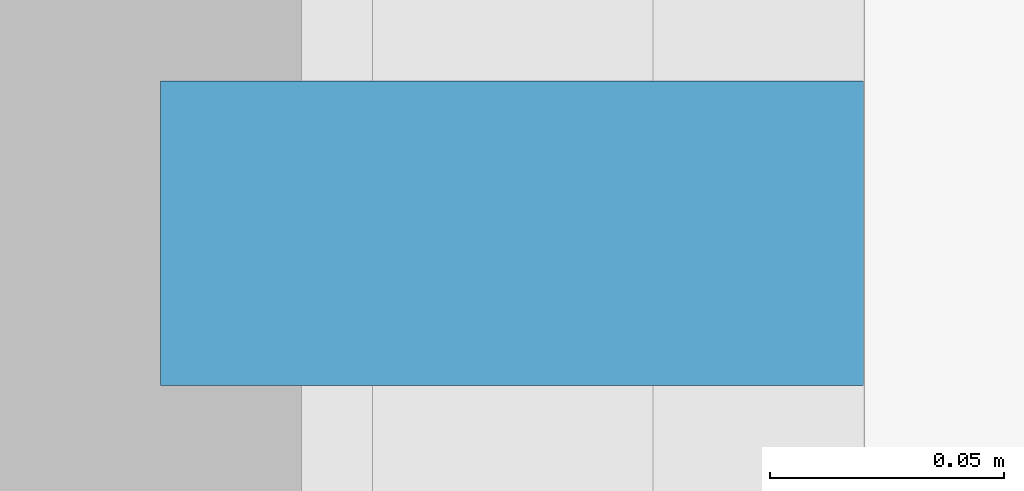
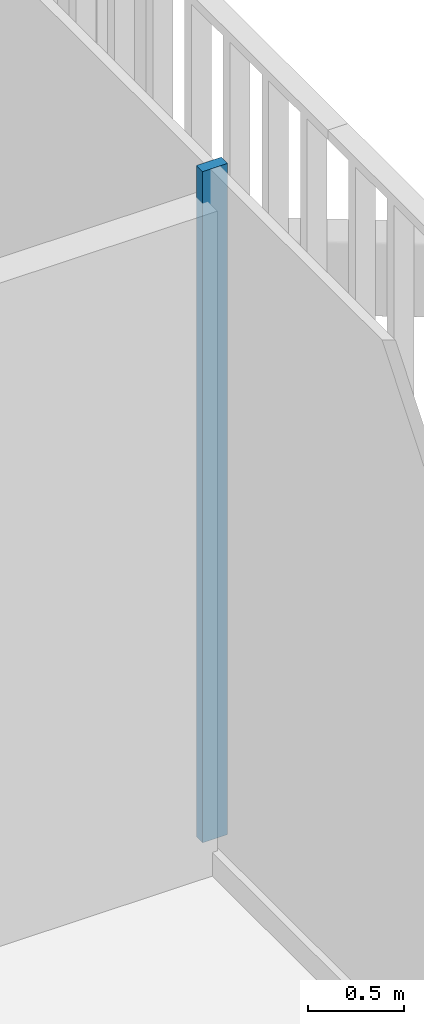
# One storey, part 10 of 21: 1 member, 1 element without a shape of its own.
"""IFC4 building model written with IfcOpenShell, lengths in metres."""

from ifc_helpers import new_model, si_unit, direction, frame, origin, origin_2d, place, context, subcontext, project, spatial, rectangle, extrude, material, layer, layer_set, material_profile, profile_set, type_object, element, aggregate, save


model = new_model("IFC4")

# Units and contexts
model_context = context("Model", 3, precision=1e-05, world=origin(), true_north=direction((0.0, 1.0)))
body_context = subcontext(model_context, "Body", "Model", "MODEL_VIEW")
ifc_project = project(units=[si_unit("LENGTHUNIT", "METRE"), si_unit("AREAUNIT", "SQUARE_METRE"), si_unit("VOLUMEUNIT", "CUBIC_METRE"), si_unit("PLANEANGLEUNIT", "RADIAN"), si_unit("MASSUNIT", "GRAM", prefix="KILO")], contexts=[model_context])

# Site, building, storey
site_placement = place(None, origin())
site = spatial("IfcSite", under=ifc_project, at=site_placement, CompositionType="ELEMENT")
building_placement = place(site_placement, origin())
building = spatial("IfcBuilding", under=site, at=building_placement, Name="Millrace Tower", CompositionType="ELEMENT")
storey_placement = place(building_placement, frame((0.0, 0.0, 82.0)))
storey = spatial("IfcBuildingStorey", under=building, at=storey_placement, Name="L18", CompositionType="ELEMENT", Elevation=82.0)

# Curtain wall, member
ifc_material_1 = material(Name="Aluminium and glass", Category="aluminium")
ifc_layer = layer(ifc_material_1, 0.14990234375)
ifc_layer_set = layer_set([ifc_layer], Name="Aluminium and glass")
curtain_wall_type = type_object("IfcCurtainWallType", Name="CW-3 telecom floor curtain wall", PredefinedType="NOTDEFINED", material=ifc_layer_set)
curtain_wall_placement = place(storey_placement, origin())
curtain_wall = element("IfcCurtainWall", 1, at=curtain_wall_placement, inside=storey, type_object=curtain_wall_type, Name="Curtain wall B-F04 L18", PredefinedType="NOTDEFINED")
ifc_material_2 = material(Name="Aluminium", Category="aluminium")
ifc_material_profile = material_profile(ifc_material_2, rectangle(XDim=0.06494140625, YDim=0.14990234375, at=origin_2d()))
ifc_profile_set = profile_set([ifc_material_profile], Name="Aluminium")
member_type = type_object("IfcMemberType", Name="CW-3 telecom floor curtain wall mullion", PredefinedType="MULLION", material=ifc_profile_set)
member_placement = place(storey_placement, frame((28.27490234375, -2.66748046875, 0.14990234375), z_axis=(0.0, 0.0, 1.0), x_axis=(0.0, 1.0, 0.0)))
member = element("IfcMember", 2, at=member_placement, type_object=member_type, Name="CW3 mullion B-F04.6", PredefinedType="MULLION", context=body_context, shape_type="SweptSolid", body=[
    extrude(rectangle(XDim=0.06494140625, YDim=0.14990234375, at=origin_2d()), origin(), (0.0, 0.0, 1.0), 4.25),
])
aggregate(curtain_wall, [member])

save(model, "model.ifc")
